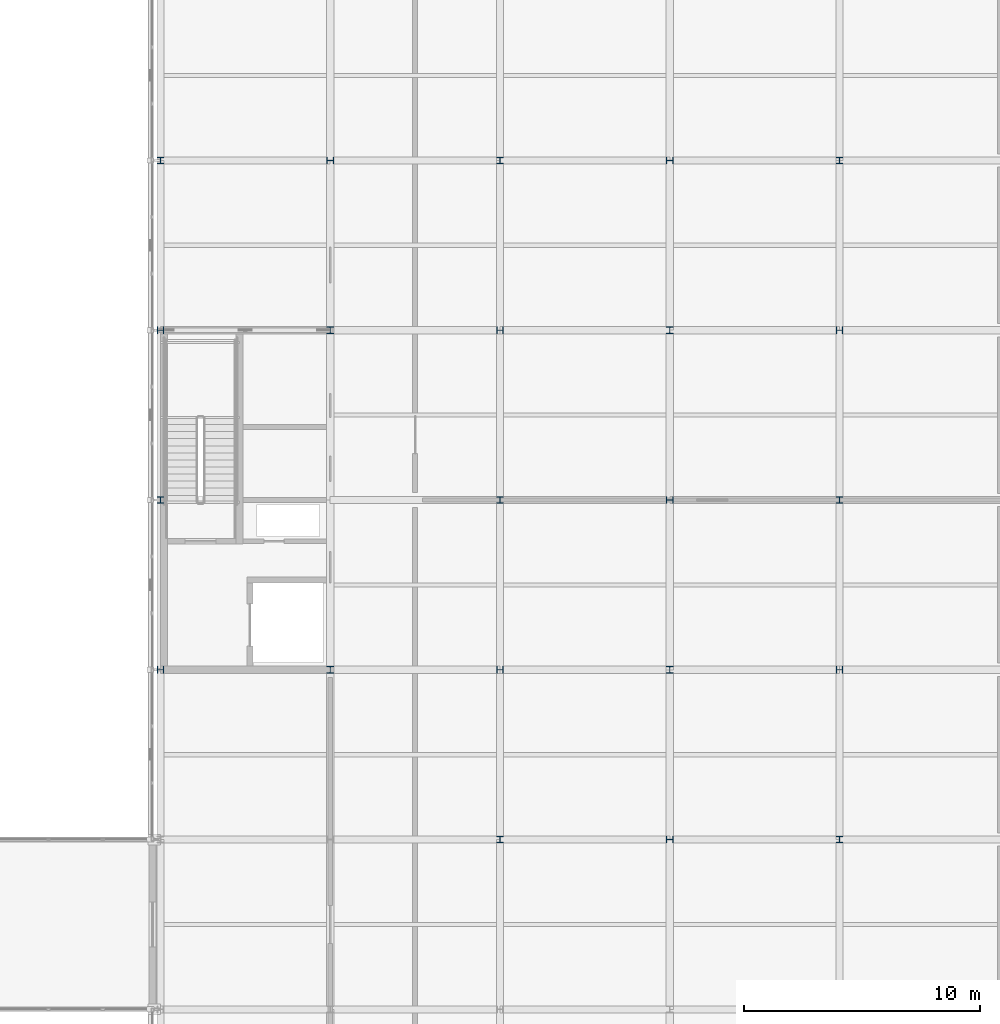
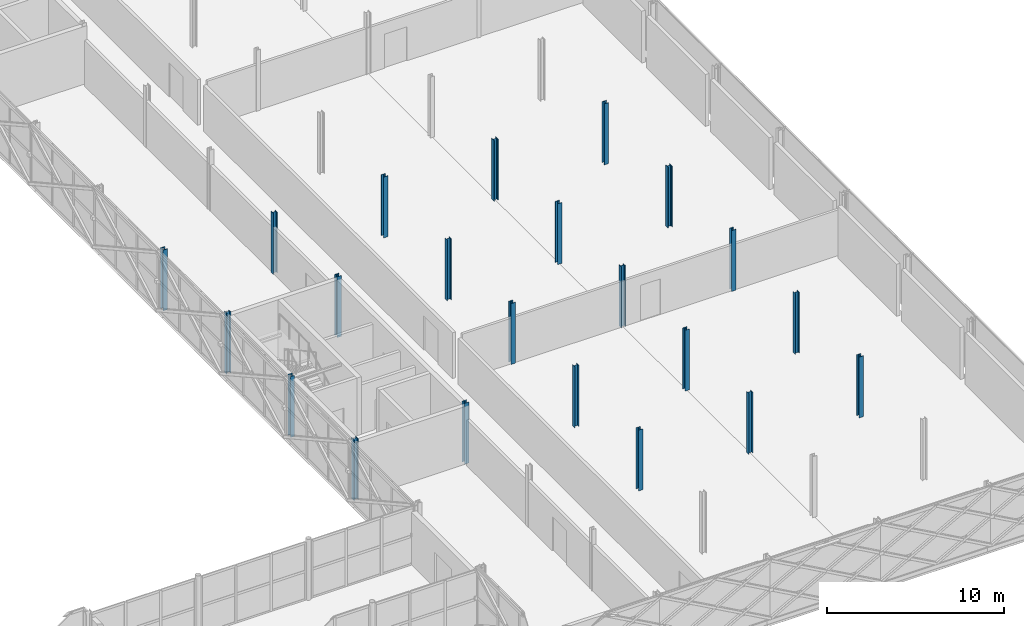
# One storey, part 20 of 146: 22 columns.
"""IFC4 building model written with IfcOpenShell, lengths in metres."""

import ifcopenshell
import ifcopenshell.guid

model = None  # the IFC model being written
_history = None  # IfcOwnerHistory: only IFC2X3 demands one
_inside = {}  # id of a spatial element -> (the spatial element, [elements in it])
_under = {}  # id of a project, library or spatial element -> (it, [spatial elements below it])
_declared = {}  # id of a project -> (the project, [libraries it declares])
_typed = {}  # id of a type object -> (the type object, [elements of that type])
_made_of = {}  # id of a material, layer set ... -> (it, [elements and type objects made of it])


def new_model(schema):
    """Start an empty IFC model of exactly this schema.

    Asked for "IFC4X3", IfcOpenShell would pick the latest addendum, in which some entities
    have other attributes; the version numbers below select the first issue.
    IFC2X3 requires an IfcOwnerHistory on every rooted entity: one is made here for all.
    """
    global model, _history
    if schema == "IFC4X3":
        model = ifcopenshell.file(schema_version=(4, 3, 0, 0))
    else:
        model = ifcopenshell.file(schema=schema)
    _inside.clear()
    _under.clear()
    _declared.clear()
    _typed.clear()
    _made_of.clear()
    _history = None
    if model.schema == "IFC2X3":
        org = make("IfcOrganization", Name="unknown")
        user = make(
            "IfcPersonAndOrganization",
            ThePerson=make("IfcPerson", FamilyName="unknown"),
            TheOrganization=org,
        )
        app = make(
            "IfcApplication",
            ApplicationDeveloper=org,
            Version="unknown",
            ApplicationFullName="unknown",
            ApplicationIdentifier="unknown",
        )
        _history = make(
            "IfcOwnerHistory",
            OwningUser=user,
            OwningApplication=app,
            ChangeAction="ADDED",
            CreationDate=0,
        )
    return model


def make(cls, **values):
    """One entity of the class cls with the attributes given. An attribute that is None is left unset."""
    return model.create_entity(
        cls, **{name: value for name, value in values.items() if value is not None}
    )


def rooted(cls, **values):
    """An entity with a GlobalId (a new one), such as an element, a storey or a relation."""
    return make(cls, GlobalId=ifcopenshell.guid.new(), OwnerHistory=_history, **values)


def si_unit(unit_type, name, prefix=None):
    """IfcSIUnit, for example si_unit("LENGTHUNIT", "METRE", prefix="MILLI")."""
    return make("IfcSIUnit", UnitType=unit_type, Prefix=prefix, Name=name)


def assignment(units):
    """IfcUnitAssignment: the units of a project."""
    return None if units is None else make("IfcUnitAssignment", Units=units)


def point(xyz):
    """IfcCartesianPoint."""
    return None if xyz is None else make("IfcCartesianPoint", Coordinates=xyz)


def direction(xyz):
    """IfcDirection."""
    return None if xyz is None else make("IfcDirection", DirectionRatios=xyz)


def frame(location, z_axis=None, x_axis=None):
    """IfcAxis2Placement3D, a coordinate frame: its origin and axes. An axis left out is left unset."""
    return make(
        "IfcAxis2Placement3D",
        Location=point(location),
        Axis=direction(z_axis),
        RefDirection=direction(x_axis),
    )


def frame_2d(location, x_axis=None):
    """IfcAxis2Placement2D, a coordinate frame in the plane: its origin and x axis."""
    return make(
        "IfcAxis2Placement2D", Location=point(location), RefDirection=direction(x_axis)
    )


def origin():
    """The frame at (0, 0, 0) with its axes left unset."""
    return frame((0.0, 0.0, 0.0))


def origin_2d():
    """The frame at (0, 0) in the plane with its x axis left unset."""
    return frame_2d((0.0, 0.0))


def place(relative_to, where):
    """IfcLocalPlacement: puts the frame where relative to a parent placement (None: the world)."""
    return make(
        "IfcLocalPlacement", PlacementRelTo=relative_to, RelativePlacement=where
    )


def context(
    kind, dimensions, precision=None, world=None, true_north=None, identifier=None
):
    """IfcGeometricRepresentationContext, for example the 3D "Model" context."""
    return make(
        "IfcGeometricRepresentationContext",
        ContextIdentifier=identifier,
        ContextType=kind,
        CoordinateSpaceDimension=dimensions,
        Precision=precision,
        WorldCoordinateSystem=world,
        TrueNorth=true_north,
    )


def subcontext(parent, identifier, kind, view, scale=None):
    """IfcGeometricRepresentationSubContext, for example "Body" below "Model"."""
    return make(
        "IfcGeometricRepresentationSubContext",
        ContextIdentifier=identifier,
        ContextType=kind,
        ParentContext=parent,
        TargetScale=scale,
        TargetView=view,
    )


def project(units=None, contexts=None):
    """IfcProject with its units and contexts."""
    return rooted(
        "IfcProject",
        Name="project",
        RepresentationContexts=contexts,
        UnitsInContext=assignment(units),
    )


def spatial(cls, under=None, at=None, **own):
    """A site, building, storey or space (cls), placed at a placement, below another one or the project."""
    s = rooted(cls, ObjectPlacement=at, **own)
    if under is not None:
        _under.setdefault(under.id(), (under, []))[1].append(s)
    return s


def profile(cls, at=None, kind="AREA", **sizes):
    """A parametric profile (cls). Its sizes go by their IFC names, for example OverallWidth=200.0."""
    return make(cls, ProfileType=kind, Position=at, **sizes)


def i_section(**sizes):
    """IfcIShapeProfileDef."""
    return profile("IfcIShapeProfileDef", **sizes)


def extrude(swept, where, along, depth):
    """IfcExtrudedAreaSolid: the profile swept, set in the frame where, extruded along a direction by depth."""
    return make(
        "IfcExtrudedAreaSolid",
        SweptArea=swept,
        Position=where,
        ExtrudedDirection=direction(along),
        Depth=depth,
    )


def shape(context_of_items, identifier, shape_type, items):
    """IfcShapeRepresentation: the items that make up one representation, for example the "Body"."""
    return make(
        "IfcShapeRepresentation",
        ContextOfItems=context_of_items,
        RepresentationIdentifier=identifier,
        RepresentationType=shape_type,
        Items=items,
    )


def material(Name=None, Category=None):
    """IfcMaterial."""
    return make("IfcMaterial", Name=Name, Category=Category)


def material_profile(
    of_material, cross_section, Name=None, Category=None, Priority=None
):
    """IfcMaterialProfile: a cross section and its material."""
    return make(
        "IfcMaterialProfile",
        Name=Name,
        Material=of_material,
        Profile=cross_section,
        Priority=Priority,
        Category=Category,
    )


def profile_set(profiles, Name=None, composite=None):
    """IfcMaterialProfileSet."""
    return make(
        "IfcMaterialProfileSet",
        Name=Name,
        MaterialProfiles=profiles,
        CompositeProfile=composite,
    )


def made_of(thing, what):
    """Note that an element or type object is made of a material, layer set ...; save() writes the relation."""
    if what is not None:
        _made_of.setdefault(what.id(), (what, []))[1].append(thing)
    return thing


def type_object(cls, material=None, **own):
    """A type object (cls), such as IfcWallType, which elements share."""
    return made_of(rooted(cls, **own), material)


def element(
    cls,
    number,
    at=None,
    inside=None,
    cuts=None,
    type_object=None,
    material=None,
    context=None,
    identifier="Body",
    shape_type=None,
    held_by="IfcProductDefinitionShape",
    body=None,
    shapes=None,
    **own,
):
    """One element of the class cls, such as IfcWall. Its Tag is "e" and its number.

    at: its placement. inside: the storey or other place that contains it. cuts: it is an
    opening in that element (IfcRelVoidsElement). A single representation is given by context,
    identifier, shape_type and body (its items); several are given by shapes. held_by: the class
    of the entity that holds the representations. save() writes the other relations.
    """
    e = rooted(cls, Tag="e%d" % number, ObjectPlacement=at, **own)
    if body is not None:
        shapes = [shape(context, identifier, shape_type, body)]
    if shapes is not None:
        e.Representation = make(held_by, Representations=shapes)
    if inside is not None:
        _inside.setdefault(inside.id(), (inside, []))[1].append(e)
    if cuts is not None:
        rooted(
            "IfcRelVoidsElement", RelatingBuildingElement=cuts, RelatedOpeningElement=e
        )
    if type_object is not None:
        _typed.setdefault(type_object.id(), (type_object, []))[1].append(e)
    return made_of(e, material)


def aggregate(whole, parts):
    """IfcRelAggregates: a whole, such as a stair, and the parts it consists of."""
    return rooted("IfcRelAggregates", RelatingObject=whole, RelatedObjects=parts)


def save(model, path):
    """Write the relations noted so far, then the file.

    IfcRelAggregates (storeys below a building ...), IfcRelContainedInSpatialStructure (elements
    in a storey), IfcRelDefinesByType, IfcRelAssociatesMaterial and IfcRelDeclares: one each for
    every whole, place, type object, material and project.
    """
    for whole, parts in _under.values():
        aggregate(whole, parts)
    for where, things in _inside.values():
        rooted(
            "IfcRelContainedInSpatialStructure",
            RelatedElements=things,
            RelatingStructure=where,
        )
    for kind, things in _typed.values():
        rooted("IfcRelDefinesByType", RelatedObjects=things, RelatingType=kind)
    for what, things in _made_of.values():
        rooted("IfcRelAssociatesMaterial", RelatedObjects=things, RelatingMaterial=what)
    for by, libraries in _declared.values():
        rooted("IfcRelDeclares", RelatingContext=by, RelatedDefinitions=libraries)
    model.write(path)


model = new_model("IFC4")

# Units and contexts
model_context = context("Model", 3, precision=1e-05, world=origin(), true_north=direction((0.0, 1.0)))
body_context = subcontext(model_context, "Body", "Model", "MODEL_VIEW")
ifc_project = project(units=[si_unit("LENGTHUNIT", "METRE"), si_unit("AREAUNIT", "SQUARE_METRE"), si_unit("VOLUMEUNIT", "CUBIC_METRE"), si_unit("PLANEANGLEUNIT", "RADIAN"), si_unit("MASSUNIT", "GRAM", prefix="KILO")], contexts=[model_context])

# Site, building, storey
site_placement = place(None, origin())
site = spatial("IfcSite", under=ifc_project, at=site_placement, CompositionType="ELEMENT")
building_placement = place(site_placement, origin())
building = spatial("IfcBuilding", under=site, at=building_placement, Name="Zlatovets Crest Museum", CompositionType="ELEMENT")
storey_placement = place(building_placement, frame((0.0, 0.0, 4.5)))
storey = spatial("IfcBuildingStorey", under=building, at=storey_placement, Name="L01", CompositionType="ELEMENT", Elevation=4.5)

# Columns
ifc_material = material(Name="Structural steel S355J2", Category="steel")
ifc_material_profile = material_profile(ifc_material, i_section(OverallWidth=0.280029296875, OverallDepth=0.280029296875, WebThickness=0.010498046875, FlangeThickness=0.01806640625, FilletRadius=0.02392578125, at=origin_2d()), Name="HEB 280")
ifc_profile_set = profile_set([ifc_material_profile], Name="Structural steel S355J2")
column_type = type_object("IfcColumnType", Name="Col_C-17", PredefinedType="COLUMN", material=ifc_profile_set)
for number, where, z_axis, x_axis, name in (
    (1, (129.60009765625, 36.0, 0.0), (0.0, 0.0, 1.0), (0.0, 1.0, 0.0), "V5 L01 Column (129.6, 36.0)"),
    (2, (129.60009765625, 43.199951171875, 0.0), (0.0, 0.0, 1.0), (1.0, 0.0, 0.0), "V5 L01 Column (129.6, 43.2)"),
    (3, (129.60009765625, 50.39990234375, 0.0), (0.0, 0.0, 1.0), (0.0, 1.0, 0.0), "V5 L01 Column (129.6, 50.4)"),
    (4, (129.60009765625, 57.60009765625, 0.0), (0.0, 0.0, 1.0), (1.0, 0.0, 0.0), "V5 L01 Column (129.6, 57.6)"),
    (5, (136.800048828125, 36.0, 0.0), (0.0, 0.0, 1.0), (1.0, 0.0, 0.0), "V5 L01 Column (136.8, 36.0)"),
    (6, (136.800048828125, 50.39990234375, 0.0), (0.0, 0.0, 1.0), (1.0, 0.0, 0.0), "V5 L01 Column (136.8, 50.4)"),
    (7, (136.800048828125, 57.60009765625, 0.0), (0.0, 0.0, 1.0), (0.0, 1.0, 0.0), "V5 L01 Column (136.8, 57.6)"),
    (8, (144.0, 28.800048828125, 0.0), (0.0, 0.0, 1.0), (1.0, 0.0, 0.0), "V5 L01 Column (144.0, 28.8)"),
    (9, (144.0, 36.0, 0.0), (0.0, 0.0, 1.0), (0.0, 1.0, 0.0), "V5 L01 Column (144.0, 36.0)"),
    (10, (144.0, 43.199951171875, 0.0), (0.0, 0.0, 1.0), (1.0, 0.0, 0.0), "V5 L01 Column (144.0, 43.2)"),
    (11, (144.0, 50.39990234375, 0.0), (0.0, 0.0, 1.0), (0.0, 1.0, 0.0), "V5 L01 Column (144.0, 50.4)"),
    (12, (144.0, 57.60009765625, 0.0), (0.0, 0.0, 1.0), (1.0, 0.0, 0.0), "V5 L01 Column (144.0, 57.6)"),
    (13, (151.199951171875, 28.800048828125, 0.0), (0.0, 0.0, 1.0), (0.0, 1.0, 0.0), "V5 L01 Column (151.2, 28.8)"),
    (14, (151.199951171875, 36.0, 0.0), (0.0, 0.0, 1.0), (1.0, 0.0, 0.0), "V5 L01 Column (151.2, 36.0)"),
    (15, (151.199951171875, 43.199951171875, 0.0), (0.0, 0.0, 1.0), (0.0, 1.0, 0.0), "V5 L01 Column (151.2, 43.2)"),
    (16, (151.199951171875, 50.39990234375, 0.0), (0.0, 0.0, 1.0), (1.0, 0.0, 0.0), "V5 L01 Column (151.2, 50.4)"),
    (17, (151.199951171875, 57.60009765625, 0.0), (0.0, 0.0, 1.0), (0.0, 1.0, 0.0), "V5 L01 Column (151.2, 57.6)"),
    (18, (158.39990234375, 28.800048828125, 0.0), (0.0, 0.0, 1.0), (1.0, 0.0, 0.0), "V5 L01 Column (158.4, 28.8)"),
    (19, (158.39990234375, 36.0, 0.0), (0.0, 0.0, 1.0), (0.0, 1.0, 0.0), "V5 L01 Column (158.4, 36.0)"),
    (20, (158.39990234375, 43.199951171875, 0.0), (0.0, 0.0, 1.0), (1.0, 0.0, 0.0), "V5 L01 Column (158.4, 43.2)"),
    (21, (158.39990234375, 50.39990234375, 0.0), (0.0, 0.0, 1.0), (0.0, 1.0, 0.0), "V5 L01 Column (158.4, 50.4)"),
    (22, (158.39990234375, 57.60009765625, 0.0), (0.0, 0.0, 1.0), (1.0, 0.0, 0.0), "V5 L01 Column (158.4, 57.6)"),
):
    element("IfcColumn", number, at=place(storey_placement, frame(where, z_axis=z_axis, x_axis=x_axis)), inside=storey, type_object=column_type, Name=name, PredefinedType="COLUMN", context=body_context, shape_type="SweptSolid", body=[
        extrude(i_section(OverallWidth=0.280029296875, OverallDepth=0.280029296875, WebThickness=0.010498046875, FlangeThickness=0.01806640625, FilletRadius=0.02392578125, at=origin_2d()), origin(), (0.0, 0.0, 1.0), 4.199951171875),
    ])

save(model, "model.ifc")
